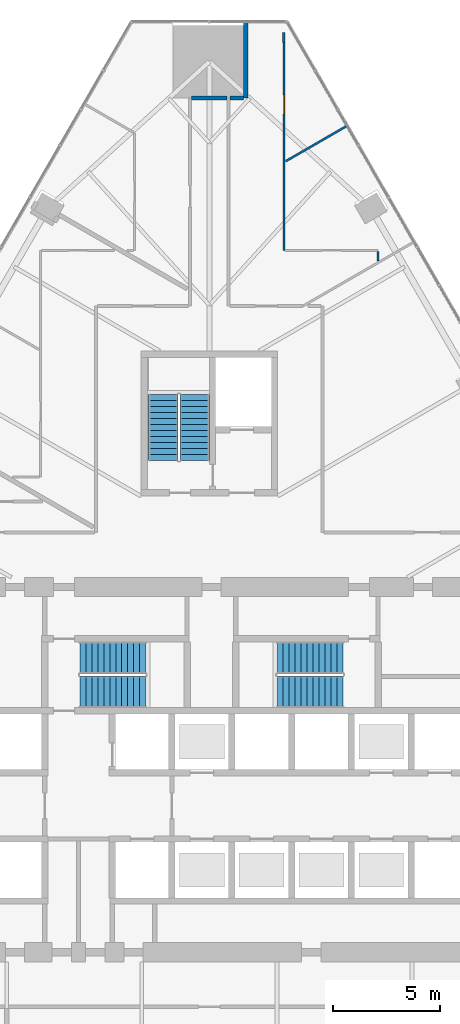
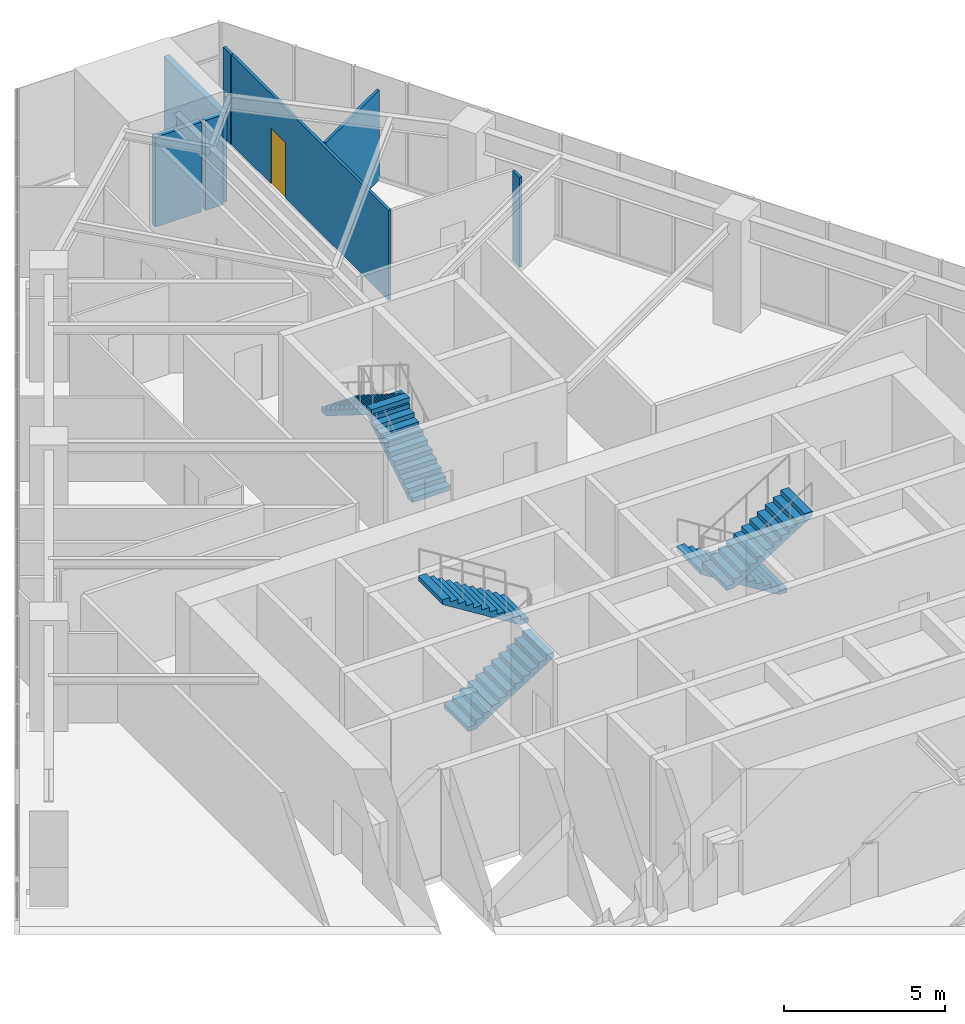
# One storey, part 19 of 21: 7 walls, 6 stair flights, 1 door, 1 opening, 3 elements without a shape of their own.
"""IFC4 building model written with IfcOpenShell, lengths in metres."""

from ifc_helpers import new_model, si_unit, direction, frame, frame_2d, origin, place, context, subcontext, project, spatial, polyline, rectangle, outline, extrude, material, layer, layer_set, type_object, element, fill, aggregate, save


model = new_model("IFC4")

# Units and contexts
model_context = context("Model", 3, precision=1e-05, world=origin(), true_north=direction((0.0, 1.0)))
body_context = subcontext(model_context, "Body", "Model", "MODEL_VIEW")
ifc_project = project(units=[si_unit("LENGTHUNIT", "METRE"), si_unit("AREAUNIT", "SQUARE_METRE"), si_unit("VOLUMEUNIT", "CUBIC_METRE"), si_unit("PLANEANGLEUNIT", "RADIAN"), si_unit("MASSUNIT", "GRAM", prefix="KILO")], contexts=[model_context])

# Site, building, storey
site_placement = place(None, origin())
site = spatial("IfcSite", under=ifc_project, at=site_placement, CompositionType="ELEMENT")
building_placement = place(site_placement, origin())
building = spatial("IfcBuilding", under=site, at=building_placement, Name="Firuza Gate Tower and Library", CompositionType="ELEMENT")
storey_placement = place(building_placement, frame((0.0, 0.0, 69.39990234375)))
storey = spatial("IfcBuildingStorey", under=building, at=storey_placement, Name="L15", CompositionType="ELEMENT", Elevation=69.39990234375)

# Walls
ifc_material_1 = material(Name="Gypsum board partition")
ifc_layer_1 = layer(ifc_material_1, 0.199951171875)
ifc_layer_set_1 = layer_set([ifc_layer_1], Name="Demising wall 200 acoustic double stud")
wall_type_1 = type_object("IfcWallType", Name="Demising wall 200 acoustic double stud", PredefinedType="PARTITIONING", material=ifc_layer_set_1)
wall_1_placement = place(storey_placement, frame((74.175537109375, 106.43701171875, 0.0), z_axis=(0.0, 0.0, 1.0), x_axis=(1.0, 0.0, 0.0)))
element("IfcWall", 1, at=wall_1_placement, inside=storey, type_object=wall_type_1, Name="f:L15:w012", PredefinedType="PARTITIONING", context=body_context, shape_type="SweptSolid", body=[
    extrude(rectangle(XDim=1.6494140625, YDim=0.199951171875, at=frame_2d((0.82470703125, 0.0))), origin(), (0.0, 0.0, 1.0), 3.397216796875),
])
wall_2_placement = place(storey_placement, frame((76.699951171875, 106.43701171875, 0.0), z_axis=(0.0, 0.0, 1.0), x_axis=(0.0, 1.0, 0.0)))
element("IfcWall", 2, at=wall_2_placement, inside=storey, type_object=wall_type_1, Name="f:L15:w039", PredefinedType="PARTITIONING", context=body_context, shape_type="SweptSolid", body=[
    extrude(rectangle(XDim=3.5595703125, YDim=0.199951171875, at=frame_2d((1.77978515625, 0.0))), origin(), (0.0, 0.0, 1.0), 3.400146484375),
])
wall_3_placement = place(storey_placement, frame((75.97509765625, 106.43701171875, 0.0), z_axis=(0.0, 0.0, 1.0), x_axis=(1.0, 0.0, 0.0)))
element("IfcWall", 3, at=wall_3_placement, inside=storey, type_object=wall_type_1, Name="f:L15:w076", PredefinedType="PARTITIONING", context=body_context, shape_type="SweptSolid", body=[
    extrude(rectangle(XDim=0.62451171875, YDim=0.199951171875, at=frame_2d((0.312255859375, 0.0))), origin(), (0.0, 0.0, 1.0), 3.400146484375),
])
ifc_material_2 = material(Name="Gypsum board partition")
ifc_layer_2 = layer(ifc_material_2, 0.10009765625)
ifc_layer_set_2 = layer_set([ifc_layer_2], Name="Partition 100 gypsum board on steel studs")
wall_type_2 = type_object("IfcWallType", Name="Partition 100 gypsum board on steel studs", PredefinedType="PARTITIONING", material=ifc_layer_set_2)
wall_4_placement = place(storey_placement, frame((78.57568359375, 103.47607421875, 0.0), z_axis=(0.0, 0.0, 1.0), x_axis=(0.866043162687, 0.499969239416, 0.0)))
element("IfcWall", 4, at=wall_4_placement, inside=storey, type_object=wall_type_2, Name="f:L15:w024", PredefinedType="PARTITIONING", context=body_context, shape_type="SweptSolid", body=[
    extrude(rectangle(XDim=3.311279296875, YDim=0.10009765625, at=frame_2d((1.65576171875, 0.0))), origin(), (0.0, 0.0, 1.0), 3.400146484375),
])
wall_5_placement = place(storey_placement, frame((82.89990234375, 98.816162109375, 0.0), z_axis=(0.0, 0.0, 1.0), x_axis=(0.0, 1.0, 0.0)))
element("IfcWall", 5, at=wall_5_placement, inside=storey, type_object=wall_type_2, Name="f:L15:w034", PredefinedType="PARTITIONING", context=body_context, shape_type="SweptSolid", body=[
    extrude(rectangle(XDim=0.433349609375, YDim=0.10009765625, at=frame_2d((0.216796875, 0.0))), origin(), (0.0, 0.0, 1.0), 3.400146484375),
])

# Wall, opening, door
wall_6_placement = place(storey_placement, frame((78.5, 99.300048828125, 0.0), z_axis=(0.0, 0.0, 1.0), x_axis=(0.0, 1.0, 0.0)))
wall_6 = element("IfcWall", 6, at=wall_6_placement, inside=storey, type_object=wall_type_2, Name="f:L15:w036", PredefinedType="PARTITIONING", context=body_context, shape_type="SweptSolid", body=[
    extrude(rectangle(XDim=9.73583984375, YDim=0.10009765625, at=frame_2d((4.867919921875, 0.0))), origin(), (0.0, 0.0, 1.0), 3.400146484375),
])
opening_placement = place(wall_6_placement, frame((6.38232421875, 0.0, 0.0)))
opening = element("IfcOpeningElement", 7, at=opening_placement, cuts=wall_6, Name="Opening L15-24", PredefinedType="OPENING", context=body_context, shape_type="SweptSolid", body=[
    extrude(rectangle(XDim=0.89990234375, YDim=2.10009765625, at=frame_2d((0.449951171875, 1.050048828125))), frame((0.0, 0.06005859375, 0.0), z_axis=(0.0, -1.0, 0.0), x_axis=(1.0, 0.0, 0.0)), (0.0, 0.0, 1.0), 0.1201171875),
])
ifc_material_3 = material(Name="Timber door", Category="wood")
door_type = type_object("IfcDoorType", Name="Door 900 x 2100 timber leaf", OperationType="NOTDEFINED", PredefinedType="DOOR", material=ifc_material_3)
door_placement = place(opening_placement, origin())
door = element("IfcDoor", 8, at=door_placement, inside=storey, type_object=door_type, Name="f:L15:d024", OperationType="SINGLE_SWING_LEFT", OverallHeight=2.10009765625, OverallWidth=0.89990234375, PredefinedType="DOOR", context=body_context, shape_type="SweptSolid", body=[
    extrude(rectangle(XDim=0.89990234375, YDim=2.10009765625, at=frame_2d((0.449951171875, 1.050048828125))), frame((0.0, 0.02490234375, 0.0), z_axis=(0.0, -1.0, 0.0), x_axis=(1.0, 0.0, 0.0)), (0.0, 0.0, 1.0), 0.050048828125),
])
fill(opening, door)

# Wall
wall_7_placement = place(storey_placement, frame((78.48095703125, 109.03662109375, 0.0), z_axis=(0.0, 0.0, 1.0), x_axis=(0.0, 1.0, 0.0)))
element("IfcWall", 9, at=wall_7_placement, inside=storey, type_object=wall_type_2, Name="f:L15:w037", PredefinedType="PARTITIONING", context=body_context, shape_type="SweptSolid", body=[
    extrude(rectangle(XDim=0.47314453125, YDim=0.10009765625, at=frame_2d((0.236572265625, 0.0))), origin(), (0.0, 0.0, 1.0), 3.400146484375),
])

# Stair, stair flights
ifc_material_4 = material(Name="Concrete C35/45", Category="concrete")
stair_type_1 = type_object("IfcStairType", Name="Exit stair ST14", PredefinedType="HALF_TURN_STAIR", material=ifc_material_4)
placement = place(storey_placement, origin())
stair_1 = element("IfcStair", 10, at=placement, inside=storey, type_object=stair_type_1, Name="L15 Stair ST3", PredefinedType="HALF_TURN_STAIR")
ifc_material_5 = material(Name="Concrete C35/45", Category="concrete")
stair_flight_type_1 = type_object("IfcStairFlightType", Name="Stair flight 12 risers 175 width 1370", PredefinedType="STRAIGHT", material=ifc_material_5)
stair_flight_1_placement = place(storey_placement, frame((74.31494140625, 89.469970703125, 0.0), z_axis=(0.0, 0.0, 1.0), x_axis=(0.0, 1.0, 0.0)))
stair_flight_1 = element("IfcStairFlight", 11, at=stair_flight_1_placement, type_object=stair_flight_type_1, Name="ST3 flight 1", NumberOfRisers=12, NumberOfTreads=11, PredefinedType="STRAIGHT", RiserHeight=0.175, TreadLength=0.28, context=body_context, shape_type="SweptSolid", body=[
    extrude(outline(polyline([(0.0, 0.0), (0.0, 0.175048828125), (0.280029296875, 0.175048828125), (0.280029296875, 0.35009765625), (0.56005859375, 0.35009765625), (0.56005859375, 0.52490234375), (0.840087890625, 0.52490234375), (0.840087890625, 0.699951171875), (1.1201171875, 0.699951171875), (1.1201171875, 0.875), (1.39990234375, 0.875), (1.39990234375, 1.050048828125), (1.679931640625, 1.050048828125), (1.679931640625, 1.22509765625), (1.9599609375, 1.22509765625), (1.9599609375, 1.39990234375), (2.239990234375, 1.39990234375), (2.239990234375, 1.574951171875), (2.52001953125, 1.574951171875), (2.52001953125, 1.75), (2.800048828125, 1.75), (2.800048828125, 1.925048828125), (3.080078125, 1.925048828125), (3.080078125, 2.10009765625), (3.080078125, 1.748291015625), (0.28271484375, 0.0), (0.0, 0.0)])), frame((0.0, 0.68505859375, 0.0), z_axis=(0.0, -1.0, 0.0), x_axis=(1.0, 0.0, 0.0)), (0.0, 0.0, 1.0), 1.3701171875),
])
stair_flight_2_placement = place(storey_placement, frame((72.844970703125, 92.550048828125, 2.10009765625), z_axis=(0.0, 0.0, 1.0), x_axis=(0.0, -1.0, 0.0)))
stair_flight_2 = element("IfcStairFlight", 12, at=stair_flight_2_placement, type_object=stair_flight_type_1, Name="ST3 flight 2", NumberOfRisers=12, NumberOfTreads=11, PredefinedType="STRAIGHT", RiserHeight=0.175, TreadLength=0.28, context=body_context, shape_type="SweptSolid", body=[
    extrude(outline(polyline([(0.0, 0.0), (0.0, 0.175048828125), (0.280029296875, 0.175048828125), (0.280029296875, 0.35009765625), (0.56005859375, 0.35009765625), (0.56005859375, 0.52490234375), (0.840087890625, 0.52490234375), (0.840087890625, 0.699951171875), (1.1201171875, 0.699951171875), (1.1201171875, 0.875), (1.39990234375, 0.875), (1.39990234375, 1.050048828125), (1.679931640625, 1.050048828125), (1.679931640625, 1.22509765625), (1.9599609375, 1.22509765625), (1.9599609375, 1.39990234375), (2.239990234375, 1.39990234375), (2.239990234375, 1.574951171875), (2.52001953125, 1.574951171875), (2.52001953125, 1.75), (2.800048828125, 1.75), (2.800048828125, 1.925048828125), (3.080078125, 1.925048828125), (3.080078125, 2.10009765625), (3.080078125, 1.748291015625), (0.28271484375, 0.0), (0.0, 0.0)])), frame((0.0, 0.68505859375, 0.0), z_axis=(0.0, -1.0, 0.0), x_axis=(1.0, 0.0, 0.0)), (0.0, 0.0, 1.0), 1.3701171875),
])
aggregate(stair_1, [stair_flight_1, stair_flight_2])

ifc_material_6 = material(Name="Concrete C35/45", Category="concrete")
stair_type_2 = type_object("IfcStairType", Name="Exit stair ST5", PredefinedType="HALF_TURN_STAIR", material=ifc_material_6)
stair_2 = element("IfcStair", 13, at=placement, inside=storey, type_object=stair_type_2, Name="L15 Stair ST1", PredefinedType="HALF_TURN_STAIR")
ifc_material_7 = material(Name="Concrete C35/45", Category="concrete")
stair_flight_type_2 = type_object("IfcStairFlightType", Name="Stair flight 12 risers 175 width 1490", PredefinedType="STRAIGHT", material=ifc_material_7)
stair_flight_3_placement = place(storey_placement, frame((68.93994140625, 78.64501953125, 0.0), z_axis=(0.0, 0.0, 1.0), x_axis=(1.0, 0.0, 0.0)))
stair_flight_3 = element("IfcStairFlight", 14, at=stair_flight_3_placement, type_object=stair_flight_type_2, Name="ST1 flight 1", NumberOfRisers=12, NumberOfTreads=11, PredefinedType="STRAIGHT", RiserHeight=0.175, TreadLength=0.28, context=body_context, shape_type="SweptSolid", body=[
    extrude(outline(polyline([(0.0, 0.0), (0.0, 0.175048828125), (0.280029296875, 0.175048828125), (0.280029296875, 0.35009765625), (0.56005859375, 0.35009765625), (0.56005859375, 0.52490234375), (0.840087890625, 0.52490234375), (0.840087890625, 0.699951171875), (1.1201171875, 0.699951171875), (1.1201171875, 0.875), (1.39990234375, 0.875), (1.39990234375, 1.050048828125), (1.679931640625, 1.050048828125), (1.679931640625, 1.22509765625), (1.9599609375, 1.22509765625), (1.9599609375, 1.39990234375), (2.239990234375, 1.39990234375), (2.239990234375, 1.574951171875), (2.52001953125, 1.574951171875), (2.52001953125, 1.75), (2.800048828125, 1.75), (2.800048828125, 1.925048828125), (3.080078125, 1.925048828125), (3.080078125, 2.10009765625), (3.080078125, 1.748291015625), (0.28271484375, 0.0), (0.0, 0.0)])), frame((0.0, 0.7451171875, 0.0), z_axis=(0.0, -1.0, 0.0), x_axis=(1.0, 0.0, 0.0)), (0.0, 0.0, 1.0), 1.489990234375),
])
stair_flight_4_placement = place(storey_placement, frame((72.02001953125, 80.235107421875, 2.10009765625), z_axis=(0.0, 0.0, 1.0), x_axis=(-1.0, 0.0, 0.0)))
stair_flight_4 = element("IfcStairFlight", 15, at=stair_flight_4_placement, type_object=stair_flight_type_2, Name="ST1 flight 2", NumberOfRisers=12, NumberOfTreads=11, PredefinedType="STRAIGHT", RiserHeight=0.175, TreadLength=0.28, context=body_context, shape_type="SweptSolid", body=[
    extrude(outline(polyline([(0.0, 0.0), (0.0, 0.175048828125), (0.280029296875, 0.175048828125), (0.280029296875, 0.35009765625), (0.56005859375, 0.35009765625), (0.56005859375, 0.52490234375), (0.840087890625, 0.52490234375), (0.840087890625, 0.699951171875), (1.1201171875, 0.699951171875), (1.1201171875, 0.875), (1.39990234375, 0.875), (1.39990234375, 1.050048828125), (1.679931640625, 1.050048828125), (1.679931640625, 1.22509765625), (1.9599609375, 1.22509765625), (1.9599609375, 1.39990234375), (2.239990234375, 1.39990234375), (2.239990234375, 1.574951171875), (2.52001953125, 1.574951171875), (2.52001953125, 1.75), (2.800048828125, 1.75), (2.800048828125, 1.925048828125), (3.080078125, 1.925048828125), (3.080078125, 2.10009765625), (3.080078125, 1.748291015625), (0.28271484375, 0.0), (0.0, 0.0)])), frame((0.0, 0.7451171875, 0.0), z_axis=(0.0, -1.0, 0.0), x_axis=(1.0, 0.0, 0.0)), (0.0, 0.0, 1.0), 1.489990234375),
])
aggregate(stair_2, [stair_flight_3, stair_flight_4])

stair_3 = element("IfcStair", 16, at=placement, inside=storey, type_object=stair_type_2, Name="L15 Stair ST2", PredefinedType="HALF_TURN_STAIR")
stair_flight_5_placement = place(storey_placement, frame((81.260009765625, 80.235107421875, 0.0), z_axis=(0.0, 0.0, 1.0), x_axis=(-1.0, 0.0, 0.0)))
stair_flight_5 = element("IfcStairFlight", 17, at=stair_flight_5_placement, type_object=stair_flight_type_2, Name="ST2 flight 1", NumberOfRisers=12, NumberOfTreads=11, PredefinedType="STRAIGHT", RiserHeight=0.175, TreadLength=0.28, context=body_context, shape_type="SweptSolid", body=[
    extrude(outline(polyline([(0.0, 0.0), (0.0, 0.175048828125), (0.280029296875, 0.175048828125), (0.280029296875, 0.35009765625), (0.56005859375, 0.35009765625), (0.56005859375, 0.52490234375), (0.840087890625, 0.52490234375), (0.840087890625, 0.699951171875), (1.1201171875, 0.699951171875), (1.1201171875, 0.875), (1.39990234375, 0.875), (1.39990234375, 1.050048828125), (1.679931640625, 1.050048828125), (1.679931640625, 1.22509765625), (1.9599609375, 1.22509765625), (1.9599609375, 1.39990234375), (2.239990234375, 1.39990234375), (2.239990234375, 1.574951171875), (2.52001953125, 1.574951171875), (2.52001953125, 1.75), (2.800048828125, 1.75), (2.800048828125, 1.925048828125), (3.080078125, 1.925048828125), (3.080078125, 2.10009765625), (3.080078125, 1.748291015625), (0.28271484375, 0.0), (0.0, 0.0)])), frame((0.0, 0.7451171875, 0.0), z_axis=(0.0, -1.0, 0.0), x_axis=(1.0, 0.0, 0.0)), (0.0, 0.0, 1.0), 1.489990234375),
])
stair_flight_6_placement = place(storey_placement, frame((78.179931640625, 78.64501953125, 2.10009765625), z_axis=(0.0, 0.0, 1.0), x_axis=(1.0, 0.0, 0.0)))
stair_flight_6 = element("IfcStairFlight", 18, at=stair_flight_6_placement, type_object=stair_flight_type_2, Name="ST2 flight 2", NumberOfRisers=12, NumberOfTreads=11, PredefinedType="STRAIGHT", RiserHeight=0.175, TreadLength=0.28, context=body_context, shape_type="SweptSolid", body=[
    extrude(outline(polyline([(0.0, 0.0), (0.0, 0.175048828125), (0.280029296875, 0.175048828125), (0.280029296875, 0.35009765625), (0.56005859375, 0.35009765625), (0.56005859375, 0.52490234375), (0.840087890625, 0.52490234375), (0.840087890625, 0.699951171875), (1.1201171875, 0.699951171875), (1.1201171875, 0.875), (1.39990234375, 0.875), (1.39990234375, 1.050048828125), (1.679931640625, 1.050048828125), (1.679931640625, 1.22509765625), (1.9599609375, 1.22509765625), (1.9599609375, 1.39990234375), (2.239990234375, 1.39990234375), (2.239990234375, 1.574951171875), (2.52001953125, 1.574951171875), (2.52001953125, 1.75), (2.800048828125, 1.75), (2.800048828125, 1.925048828125), (3.080078125, 1.925048828125), (3.080078125, 2.10009765625), (3.080078125, 1.748291015625), (0.28271484375, 0.0), (0.0, 0.0)])), frame((0.0, 0.7451171875, 0.0), z_axis=(0.0, -1.0, 0.0), x_axis=(1.0, 0.0, 0.0)), (0.0, 0.0, 1.0), 1.489990234375),
])
aggregate(stair_3, [stair_flight_5, stair_flight_6])

save(model, "model.ifc")
